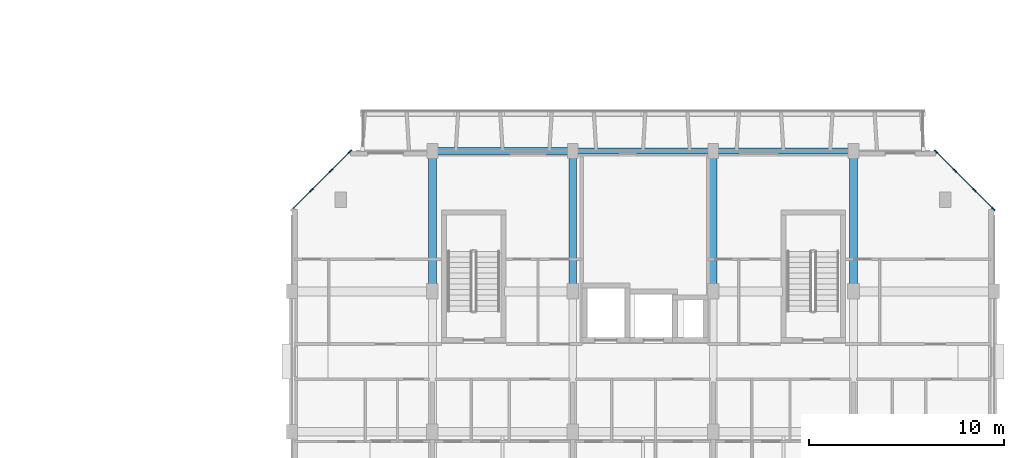
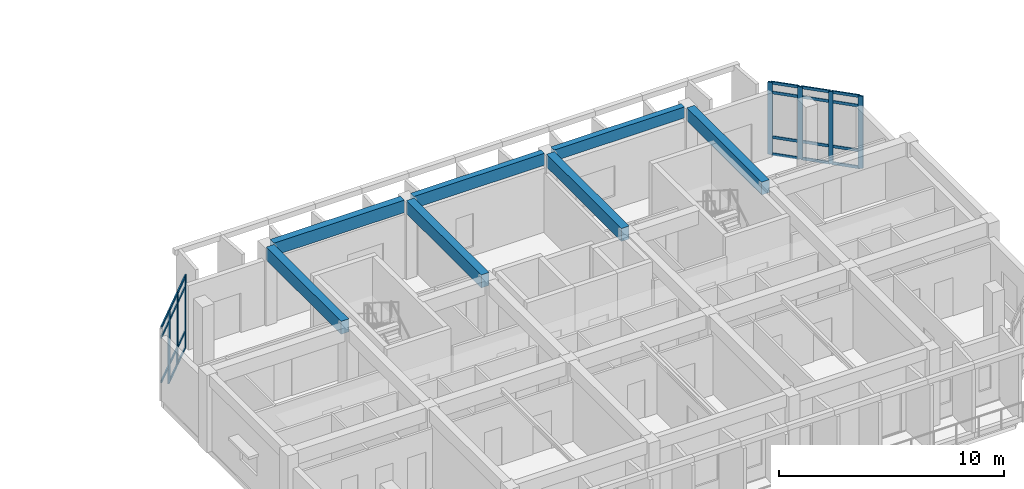
# One storey, part 32 of 85: 30 members, 7 beams, 2 elements without a shape of their own.
"""IFC4 building model written with IfcOpenShell, lengths in metres."""

from ifc_helpers import new_model, si_unit, direction, frame, origin, origin_2d, place, context, subcontext, project, spatial, rectangle, extrude, material, layer, layer_set, material_profile, profile_set, type_object, element, aggregate, save


model = new_model("IFC4")

# Units and contexts
model_context = context("Model", 3, precision=1e-05, world=origin(), true_north=direction((0.0, 1.0)))
body_context = subcontext(model_context, "Body", "Model", "MODEL_VIEW")
ifc_project = project(units=[si_unit("LENGTHUNIT", "METRE"), si_unit("AREAUNIT", "SQUARE_METRE"), si_unit("VOLUMEUNIT", "CUBIC_METRE"), si_unit("PLANEANGLEUNIT", "RADIAN"), si_unit("MASSUNIT", "GRAM", prefix="KILO")], contexts=[model_context])

# Site, building, storey
site_placement = place(None, origin())
site = spatial("IfcSite", under=ifc_project, at=site_placement, CompositionType="ELEMENT")
building_placement = place(site_placement, origin())
building = spatial("IfcBuilding", under=site, at=building_placement, Name="Ochrevale Crest", CompositionType="ELEMENT")
storey_placement = place(building_placement, frame((0.0, 0.0, 4.5)))
storey = spatial("IfcBuildingStorey", under=building, at=storey_placement, Name="L01", CompositionType="ELEMENT", Elevation=4.5)

# Beams
ifc_material_1 = material(Name="Precast concrete C50/60", Category="concrete")
ifc_material_profile_1 = material_profile(ifc_material_1, rectangle(XDim=0.39990234375, YDim=0.699951171875, at=origin_2d()), Name="PC 400x700")
ifc_profile_set_1 = profile_set([ifc_material_profile_1], Name="Precast concrete C50/60")
beam_type_1 = type_object("IfcBeamType", Name="BM-PC400x700", PredefinedType="BEAM", material=ifc_profile_set_1)
for number, where, z_axis, x_axis, name in (
    (1, (136.800048828125, 29.080078125, 3.85009765625), (0.0, 1.0, 0.0), (-1.0, 0.0, 0.0), "Block C L01 N-S beam X=136.8"),
    (2, (144.0, 29.080078125, 3.85009765625), (0.0, 1.0, 0.0), (-1.0, 0.0, 0.0), "Block C L01 N-S beam X=144.0"),
    (3, (151.199951171875, 29.080078125, 3.85009765625), (0.0, 1.0, 0.0), (-1.0, 0.0, 0.0), "Block C L01 N-S beam X=151.2"),
    (4, (158.39990234375, 29.080078125, 3.85009765625), (0.0, 1.0, 0.0), (-1.0, 0.0, 0.0), "Block C L01 N-S beam X=158.4"),
):
    element("IfcBeam", number, at=place(storey_placement, frame(where, z_axis=z_axis, x_axis=x_axis)), inside=storey, type_object=beam_type_1, Name=name, PredefinedType="BEAM", context=body_context, shape_type="SweptSolid", body=[
        extrude(rectangle(XDim=0.39990234375, YDim=0.699951171875, at=origin_2d()), origin(), (0.0, 0.0, 1.0), 6.6650390625),
    ])
ifc_material_2 = material(Name="Precast concrete C40/50", Category="concrete")
ifc_material_profile_2 = material_profile(ifc_material_2, rectangle(XDim=0.300048828125, YDim=0.60009765625, at=origin_2d()), Name="PC 300x600")
ifc_profile_set_2 = profile_set([ifc_material_profile_2], Name="Precast concrete C40/50")
beam_type_2 = type_object("IfcBeamType", Name="BM-SP300x600", PredefinedType="SPANDREL", material=ifc_profile_set_2)
beam_1_placement = place(storey_placement, frame((151.449951171875, 36.0, 3.89990234375), z_axis=(1.0, 0.0, 0.0), x_axis=(0.0, 1.0, 0.0)))
element("IfcBeam", 5, at=beam_1_placement, inside=storey, type_object=beam_type_2, Name="Block C L01 E-W beam Y=36.0", PredefinedType="SPANDREL", context=body_context, shape_type="SweptSolid", body=[
    extrude(rectangle(XDim=0.300048828125, YDim=0.60009765625, at=origin_2d()), origin(), (0.0, 0.0, 1.0), 6.699951171875),
])
ifc_material_profile_3 = material_profile(ifc_material_2, rectangle(XDim=0.300048828125, YDim=0.64990234375, at=origin_2d()), Name="PC 300x650")
ifc_profile_set_3 = profile_set([ifc_material_profile_3], Name="Precast concrete C40/50")
beam_type_3 = type_object("IfcBeamType", Name="BM-SP300x650", PredefinedType="SPANDREL", material=ifc_profile_set_3)
beam_2_placement = place(storey_placement, frame((144.25, 36.0, 3.875), z_axis=(1.0, 0.0, 0.0), x_axis=(0.0, 1.0, 0.0)))
element("IfcBeam", 6, at=beam_2_placement, inside=storey, type_object=beam_type_3, Name="Block C L01 E-W beam Y=36.0", PredefinedType="SPANDREL", context=body_context, shape_type="SweptSolid", body=[
    extrude(rectangle(XDim=0.300048828125, YDim=0.64990234375, at=origin_2d()), origin(), (0.0, 0.0, 1.0), 6.699951171875),
])
ifc_material_profile_4 = material_profile(ifc_material_2, rectangle(XDim=0.35009765625, YDim=0.679931640625, at=origin_2d()), Name="PC 350x680")
ifc_profile_set_4 = profile_set([ifc_material_profile_4], Name="Precast concrete C40/50")
beam_type_4 = type_object("IfcBeamType", Name="BM-SP350x680", PredefinedType="SPANDREL", material=ifc_profile_set_4)
beam_3_placement = place(storey_placement, frame((137.050048828125, 36.0, 3.860107421875), z_axis=(1.0, 0.0, 0.0), x_axis=(0.0, 1.0, 0.0)))
element("IfcBeam", 7, at=beam_3_placement, inside=storey, type_object=beam_type_4, Name="Block C L01 E-W beam Y=36.0", PredefinedType="SPANDREL", context=body_context, shape_type="SweptSolid", body=[
    extrude(rectangle(XDim=0.35009765625, YDim=0.679931640625, at=origin_2d()), origin(), (0.0, 0.0, 1.0), 6.699951171875),
])

# Curtain wall, members
ifc_material_3 = material(Name="Anodised aluminium 6063-T5", Category="aluminium")
ifc_layer = layer(ifc_material_3, 0.14990234375)
ifc_layer_set = layer_set([ifc_layer], Name="Anodised aluminium 6063-T5")
curtain_wall_type = type_object("IfcCurtainWallType", Name="CW-WG-360x385", PredefinedType="NOTDEFINED", material=ifc_layer_set)
curtain_wall_1_placement = place(storey_placement, origin())
curtain_wall_1 = element("IfcCurtainWall", 8, at=curtain_wall_1_placement, inside=storey, type_object=curtain_wall_type, Name="Block C L01 chamfered corner wintergarden curtain wall 4", PredefinedType="NOTDEFINED")
ifc_material_profile_5 = material_profile(ifc_material_3, rectangle(XDim=0.074951171875, YDim=0.219970703125, at=origin_2d()), Name="ALU 75x220")
ifc_profile_set_5 = profile_set([ifc_material_profile_5], Name="Anodised aluminium 6063-T5")
member_type_1 = type_object("IfcMemberType", Name="CW-MUL-75x220", PredefinedType="MULLION", material=ifc_profile_set_5)
member_1_placement = place(storey_placement, frame((165.573486328125, 33.026611328125, 0.0), z_axis=(0.0, 0.0, 1.0), x_axis=(-0.707106781187, -0.707106781187, 0.0)))
member_1 = element("IfcMember", 9, at=member_1_placement, type_object=member_type_1, Name="CW20 mullion 1", PredefinedType="MULLION", context=body_context, shape_type="SweptSolid", body=[
    extrude(rectangle(XDim=0.074951171875, YDim=0.219970703125, at=origin_2d()), origin(), (0.0, 0.0, 1.0), 3.925048828125),
])
member_2_placement = place(storey_placement, frame((164.60009765625, 34.0, 0.0), z_axis=(0.0, 0.0, 1.0), x_axis=(-0.707106781187, -0.707106781187, 0.0)))
member_2 = element("IfcMember", 10, at=member_2_placement, type_object=member_type_1, Name="CW20 mullion 2", PredefinedType="MULLION", context=body_context, shape_type="SweptSolid", body=[
    extrude(rectangle(XDim=0.074951171875, YDim=0.219970703125, at=origin_2d()), origin(), (0.0, 0.0, 1.0), 3.925048828125),
])
member_3_placement = place(storey_placement, frame((163.60009765625, 35.0, 0.0), z_axis=(0.0, 0.0, 1.0), x_axis=(-0.707106781187, -0.707106781187, 0.0)))
member_3 = element("IfcMember", 11, at=member_3_placement, type_object=member_type_1, Name="CW20 mullion 3", PredefinedType="MULLION", context=body_context, shape_type="SweptSolid", body=[
    extrude(rectangle(XDim=0.074951171875, YDim=0.219970703125, at=origin_2d()), origin(), (0.0, 0.0, 1.0), 3.925048828125),
])
member_4_placement = place(storey_placement, frame((162.62646484375, 35.973388671875, 0.0), z_axis=(0.0, 0.0, 1.0), x_axis=(-0.707106781187, -0.707106781187, 0.0)))
member_4 = element("IfcMember", 12, at=member_4_placement, type_object=member_type_1, Name="CW20 mullion 4", PredefinedType="MULLION", context=body_context, shape_type="SweptSolid", body=[
    extrude(rectangle(XDim=0.074951171875, YDim=0.219970703125, at=origin_2d()), origin(), (0.0, 0.0, 1.0), 3.925048828125),
])

curtain_wall_2_placement = place(storey_placement, origin())
curtain_wall_2 = element("IfcCurtainWall", 13, at=curtain_wall_2_placement, inside=storey, type_object=curtain_wall_type, Name="Block C L01 chamfered corner wintergarden curtain wall 6", PredefinedType="NOTDEFINED")
member_5_placement = place(storey_placement, frame((132.573486328125, 35.973388671875, 0.0), z_axis=(0.0, 0.0, 1.0), x_axis=(0.707106781187, -0.707106781187, 0.0)))
member_5 = element("IfcMember", 14, at=member_5_placement, type_object=member_type_1, Name="CW20 mullion 1", PredefinedType="MULLION", context=body_context, shape_type="SweptSolid", body=[
    extrude(rectangle(XDim=0.074951171875, YDim=0.219970703125, at=origin_2d()), origin(), (0.0, 0.0, 1.0), 3.925048828125),
])
member_6_placement = place(storey_placement, frame((131.60009765625, 35.0, 0.0), z_axis=(0.0, 0.0, 1.0), x_axis=(0.707106781187, -0.707106781187, 0.0)))
member_6 = element("IfcMember", 15, at=member_6_placement, type_object=member_type_1, Name="CW20 mullion 2", PredefinedType="MULLION", context=body_context, shape_type="SweptSolid", body=[
    extrude(rectangle(XDim=0.074951171875, YDim=0.219970703125, at=origin_2d()), origin(), (0.0, 0.0, 1.0), 3.925048828125),
])
member_7_placement = place(storey_placement, frame((130.60009765625, 34.0, 0.0), z_axis=(0.0, 0.0, 1.0), x_axis=(0.707106781187, -0.707106781187, 0.0)))
member_7 = element("IfcMember", 16, at=member_7_placement, type_object=member_type_1, Name="CW20 mullion 3", PredefinedType="MULLION", context=body_context, shape_type="SweptSolid", body=[
    extrude(rectangle(XDim=0.074951171875, YDim=0.219970703125, at=origin_2d()), origin(), (0.0, 0.0, 1.0), 3.925048828125),
])

# Member
ifc_material_profile_6 = material_profile(ifc_material_3, rectangle(XDim=0.06005859375, YDim=0.14990234375, at=origin_2d()), Name="ALU 60x150")
ifc_profile_set_6 = profile_set([ifc_material_profile_6], Name="Anodised aluminium 6063-T5")
member_type_2 = type_object("IfcMemberType", Name="CW-TRN-60x150", PredefinedType="USERDEFINED", material=ifc_profile_set_6)
member_8_placement = place(storey_placement, frame((165.546875, 33.052978515625, 0.030029296875), z_axis=(-0.707106781187, 0.707106781187, 0.0), x_axis=(-0.707106781187, -0.707106781187, 0.0)))
member_8 = element("IfcMember", 17, at=member_8_placement, type_object=member_type_2, Name="CW20 transom 1.1", ObjectType="TRANSOM", PredefinedType="USERDEFINED", context=body_context, shape_type="SweptSolid", body=[
    extrude(rectangle(XDim=0.06005859375, YDim=0.14990234375, at=origin_2d()), origin(), (0.0, 0.0, 1.0), 1.3017578125),
])

member_9_placement = place(storey_placement, frame((165.546875, 33.052978515625, 0.949951171875), z_axis=(-0.707106781187, 0.707106781187, 0.0), x_axis=(-0.707106781187, -0.707106781187, 0.0)))
member_9 = element("IfcMember", 18, at=member_9_placement, type_object=member_type_2, Name="CW20 transom 1.2", ObjectType="TRANSOM", PredefinedType="USERDEFINED", context=body_context, shape_type="SweptSolid", body=[
    extrude(rectangle(XDim=0.06005859375, YDim=0.14990234375, at=origin_2d()), origin(), (0.0, 0.0, 1.0), 1.3017578125),
])

member_10_placement = place(storey_placement, frame((165.546875, 33.052978515625, 3.375), z_axis=(-0.707106781187, 0.707106781187, 0.0), x_axis=(-0.707106781187, -0.707106781187, 0.0)))
member_10 = element("IfcMember", 19, at=member_10_placement, type_object=member_type_2, Name="CW20 transom 1.3", ObjectType="TRANSOM", PredefinedType="USERDEFINED", context=body_context, shape_type="SweptSolid", body=[
    extrude(rectangle(XDim=0.06005859375, YDim=0.14990234375, at=origin_2d()), origin(), (0.0, 0.0, 1.0), 1.3017578125),
])

member_11_placement = place(storey_placement, frame((165.546875, 33.052978515625, 3.89501953125), z_axis=(-0.707106781187, 0.707106781187, 0.0), x_axis=(-0.707106781187, -0.707106781187, 0.0)))
member_11 = element("IfcMember", 20, at=member_11_placement, type_object=member_type_2, Name="CW20 transom 1.4", ObjectType="TRANSOM", PredefinedType="USERDEFINED", context=body_context, shape_type="SweptSolid", body=[
    extrude(rectangle(XDim=0.06005859375, YDim=0.14990234375, at=origin_2d()), origin(), (0.0, 0.0, 1.0), 1.3017578125),
])

member_12_placement = place(storey_placement, frame((164.573486328125, 34.026611328125, 0.030029296875), z_axis=(-0.707197932559, 0.707015618062, 0.0), x_axis=(-0.707015618062, -0.707197932559, 0.0)))
member_12 = element("IfcMember", 21, at=member_12_placement, type_object=member_type_2, Name="CW20 transom 2.1", ObjectType="TRANSOM", PredefinedType="USERDEFINED", context=body_context, shape_type="SweptSolid", body=[
    extrude(rectangle(XDim=0.06005859375, YDim=0.14990234375, at=origin_2d()), origin(), (0.0, 0.0, 1.0), 1.339111328125),
])

member_13_placement = place(storey_placement, frame((164.573486328125, 34.026611328125, 0.949951171875), z_axis=(-0.707197932559, 0.707015618062, 0.0), x_axis=(-0.707015618062, -0.707197932559, 0.0)))
member_13 = element("IfcMember", 22, at=member_13_placement, type_object=member_type_2, Name="CW20 transom 2.2", ObjectType="TRANSOM", PredefinedType="USERDEFINED", context=body_context, shape_type="SweptSolid", body=[
    extrude(rectangle(XDim=0.06005859375, YDim=0.14990234375, at=origin_2d()), origin(), (0.0, 0.0, 1.0), 1.339111328125),
])

member_14_placement = place(storey_placement, frame((164.573486328125, 34.026611328125, 3.375), z_axis=(-0.707197932559, 0.707015618062, 0.0), x_axis=(-0.707015618062, -0.707197932559, 0.0)))
member_14 = element("IfcMember", 23, at=member_14_placement, type_object=member_type_2, Name="CW20 transom 2.3", ObjectType="TRANSOM", PredefinedType="USERDEFINED", context=body_context, shape_type="SweptSolid", body=[
    extrude(rectangle(XDim=0.06005859375, YDim=0.14990234375, at=origin_2d()), origin(), (0.0, 0.0, 1.0), 1.339111328125),
])

member_15_placement = place(storey_placement, frame((164.573486328125, 34.026611328125, 3.89501953125), z_axis=(-0.707197932559, 0.707015618062, 0.0), x_axis=(-0.707015618062, -0.707197932559, 0.0)))
member_15 = element("IfcMember", 24, at=member_15_placement, type_object=member_type_2, Name="CW20 transom 2.4", ObjectType="TRANSOM", PredefinedType="USERDEFINED", context=body_context, shape_type="SweptSolid", body=[
    extrude(rectangle(XDim=0.06005859375, YDim=0.14990234375, at=origin_2d()), origin(), (0.0, 0.0, 1.0), 1.339111328125),
])

member_16_placement = place(storey_placement, frame((163.573486328125, 35.026611328125, 0.030029296875), z_axis=(-0.707106781187, 0.707106781187, 0.0), x_axis=(-0.707106781187, -0.707106781187, 0.0)))
member_16 = element("IfcMember", 25, at=member_16_placement, type_object=member_type_2, Name="CW20 transom 3.1", ObjectType="TRANSOM", PredefinedType="USERDEFINED", context=body_context, shape_type="SweptSolid", body=[
    extrude(rectangle(XDim=0.06005859375, YDim=0.14990234375, at=origin_2d()), origin(), (0.0, 0.0, 1.0), 1.3017578125),
])

member_17_placement = place(storey_placement, frame((163.573486328125, 35.026611328125, 0.949951171875), z_axis=(-0.707106781187, 0.707106781187, 0.0), x_axis=(-0.707106781187, -0.707106781187, 0.0)))
member_17 = element("IfcMember", 26, at=member_17_placement, type_object=member_type_2, Name="CW20 transom 3.2", ObjectType="TRANSOM", PredefinedType="USERDEFINED", context=body_context, shape_type="SweptSolid", body=[
    extrude(rectangle(XDim=0.06005859375, YDim=0.14990234375, at=origin_2d()), origin(), (0.0, 0.0, 1.0), 1.3017578125),
])

member_18_placement = place(storey_placement, frame((163.573486328125, 35.026611328125, 3.375), z_axis=(-0.707106781187, 0.707106781187, 0.0), x_axis=(-0.707106781187, -0.707106781187, 0.0)))
member_18 = element("IfcMember", 27, at=member_18_placement, type_object=member_type_2, Name="CW20 transom 3.3", ObjectType="TRANSOM", PredefinedType="USERDEFINED", context=body_context, shape_type="SweptSolid", body=[
    extrude(rectangle(XDim=0.06005859375, YDim=0.14990234375, at=origin_2d()), origin(), (0.0, 0.0, 1.0), 1.3017578125),
])

member_19_placement = place(storey_placement, frame((163.573486328125, 35.026611328125, 3.89501953125), z_axis=(-0.707106781187, 0.707106781187, 0.0), x_axis=(-0.707106781187, -0.707106781187, 0.0)))
member_19 = element("IfcMember", 28, at=member_19_placement, type_object=member_type_2, Name="CW20 transom 3.4", ObjectType="TRANSOM", PredefinedType="USERDEFINED", context=body_context, shape_type="SweptSolid", body=[
    extrude(rectangle(XDim=0.06005859375, YDim=0.14990234375, at=origin_2d()), origin(), (0.0, 0.0, 1.0), 1.3017578125),
])

aggregate(curtain_wall_1, [member_1, member_2, member_3, member_4, member_8, member_9, member_10, member_11, member_12, member_13, member_14, member_15, member_16, member_17, member_18, member_19])

member_20_placement = place(storey_placement, frame((132.546875, 35.947021484375, 0.030029296875), z_axis=(-0.707106781187, -0.707106781187, 0.0), x_axis=(0.707106781187, -0.707106781187, 0.0)))
member_20 = element("IfcMember", 29, at=member_20_placement, type_object=member_type_2, Name="CW20 transom 1.1", ObjectType="TRANSOM", PredefinedType="USERDEFINED", context=body_context, shape_type="SweptSolid", body=[
    extrude(rectangle(XDim=0.06005859375, YDim=0.14990234375, at=origin_2d()), origin(), (0.0, 0.0, 1.0), 1.3017578125),
])

member_21_placement = place(storey_placement, frame((132.546875, 35.947021484375, 0.949951171875), z_axis=(-0.707106781187, -0.707106781187, 0.0), x_axis=(0.707106781187, -0.707106781187, 0.0)))
member_21 = element("IfcMember", 30, at=member_21_placement, type_object=member_type_2, Name="CW20 transom 1.2", ObjectType="TRANSOM", PredefinedType="USERDEFINED", context=body_context, shape_type="SweptSolid", body=[
    extrude(rectangle(XDim=0.06005859375, YDim=0.14990234375, at=origin_2d()), origin(), (0.0, 0.0, 1.0), 1.3017578125),
])

member_22_placement = place(storey_placement, frame((132.546875, 35.947021484375, 3.375), z_axis=(-0.707106781187, -0.707106781187, 0.0), x_axis=(0.707106781187, -0.707106781187, 0.0)))
member_22 = element("IfcMember", 31, at=member_22_placement, type_object=member_type_2, Name="CW20 transom 1.3", ObjectType="TRANSOM", PredefinedType="USERDEFINED", context=body_context, shape_type="SweptSolid", body=[
    extrude(rectangle(XDim=0.06005859375, YDim=0.14990234375, at=origin_2d()), origin(), (0.0, 0.0, 1.0), 1.3017578125),
])

member_23_placement = place(storey_placement, frame((132.546875, 35.947021484375, 3.89501953125), z_axis=(-0.707106781187, -0.707106781187, 0.0), x_axis=(0.707106781187, -0.707106781187, 0.0)))
member_23 = element("IfcMember", 32, at=member_23_placement, type_object=member_type_2, Name="CW20 transom 1.4", ObjectType="TRANSOM", PredefinedType="USERDEFINED", context=body_context, shape_type="SweptSolid", body=[
    extrude(rectangle(XDim=0.06005859375, YDim=0.14990234375, at=origin_2d()), origin(), (0.0, 0.0, 1.0), 1.3017578125),
])

member_24_placement = place(storey_placement, frame((131.573486328125, 34.973388671875, 0.030029296875), z_axis=(-0.707197932559, -0.707015618062, 0.0), x_axis=(0.707015618062, -0.707197932559, 0.0)))
member_24 = element("IfcMember", 33, at=member_24_placement, type_object=member_type_2, Name="CW20 transom 2.1", ObjectType="TRANSOM", PredefinedType="USERDEFINED", context=body_context, shape_type="SweptSolid", body=[
    extrude(rectangle(XDim=0.06005859375, YDim=0.14990234375, at=origin_2d()), origin(), (0.0, 0.0, 1.0), 1.339111328125),
])

member_25_placement = place(storey_placement, frame((131.573486328125, 34.973388671875, 0.949951171875), z_axis=(-0.707197932559, -0.707015618062, 0.0), x_axis=(0.707015618062, -0.707197932559, 0.0)))
member_25 = element("IfcMember", 34, at=member_25_placement, type_object=member_type_2, Name="CW20 transom 2.2", ObjectType="TRANSOM", PredefinedType="USERDEFINED", context=body_context, shape_type="SweptSolid", body=[
    extrude(rectangle(XDim=0.06005859375, YDim=0.14990234375, at=origin_2d()), origin(), (0.0, 0.0, 1.0), 1.339111328125),
])

member_26_placement = place(storey_placement, frame((131.573486328125, 34.973388671875, 3.375), z_axis=(-0.707197932559, -0.707015618062, 0.0), x_axis=(0.707015618062, -0.707197932559, 0.0)))
member_26 = element("IfcMember", 35, at=member_26_placement, type_object=member_type_2, Name="CW20 transom 2.3", ObjectType="TRANSOM", PredefinedType="USERDEFINED", context=body_context, shape_type="SweptSolid", body=[
    extrude(rectangle(XDim=0.06005859375, YDim=0.14990234375, at=origin_2d()), origin(), (0.0, 0.0, 1.0), 1.339111328125),
])

member_27_placement = place(storey_placement, frame((131.573486328125, 34.973388671875, 3.89501953125), z_axis=(-0.707197932559, -0.707015618062, 0.0), x_axis=(0.707015618062, -0.707197932559, 0.0)))
member_27 = element("IfcMember", 36, at=member_27_placement, type_object=member_type_2, Name="CW20 transom 2.4", ObjectType="TRANSOM", PredefinedType="USERDEFINED", context=body_context, shape_type="SweptSolid", body=[
    extrude(rectangle(XDim=0.06005859375, YDim=0.14990234375, at=origin_2d()), origin(), (0.0, 0.0, 1.0), 1.339111328125),
])

member_28_placement = place(storey_placement, frame((130.573486328125, 33.973388671875, 0.949951171875), z_axis=(-0.707106781187, -0.707106781187, 0.0), x_axis=(0.707106781187, -0.707106781187, 0.0)))
member_28 = element("IfcMember", 37, at=member_28_placement, type_object=member_type_2, Name="CW20 transom 3.2", ObjectType="TRANSOM", PredefinedType="USERDEFINED", context=body_context, shape_type="SweptSolid", body=[
    extrude(rectangle(XDim=0.06005859375, YDim=0.14990234375, at=origin_2d()), origin(), (0.0, 0.0, 1.0), 1.3017578125),
])

member_29_placement = place(storey_placement, frame((130.573486328125, 33.973388671875, 3.375), z_axis=(-0.707106781187, -0.707106781187, 0.0), x_axis=(0.707106781187, -0.707106781187, 0.0)))
member_29 = element("IfcMember", 38, at=member_29_placement, type_object=member_type_2, Name="CW20 transom 3.3", ObjectType="TRANSOM", PredefinedType="USERDEFINED", context=body_context, shape_type="SweptSolid", body=[
    extrude(rectangle(XDim=0.06005859375, YDim=0.14990234375, at=origin_2d()), origin(), (0.0, 0.0, 1.0), 1.3017578125),
])

member_30_placement = place(storey_placement, frame((130.573486328125, 33.973388671875, 3.89501953125), z_axis=(-0.707106781187, -0.707106781187, 0.0), x_axis=(0.707106781187, -0.707106781187, 0.0)))
member_30 = element("IfcMember", 39, at=member_30_placement, type_object=member_type_2, Name="CW20 transom 3.4", ObjectType="TRANSOM", PredefinedType="USERDEFINED", context=body_context, shape_type="SweptSolid", body=[
    extrude(rectangle(XDim=0.06005859375, YDim=0.14990234375, at=origin_2d()), origin(), (0.0, 0.0, 1.0), 1.3017578125),
])

aggregate(curtain_wall_2, [member_5, member_6, member_7, member_20, member_21, member_22, member_23, member_24, member_25, member_26, member_27, member_28, member_29, member_30])

save(model, "model.ifc")
